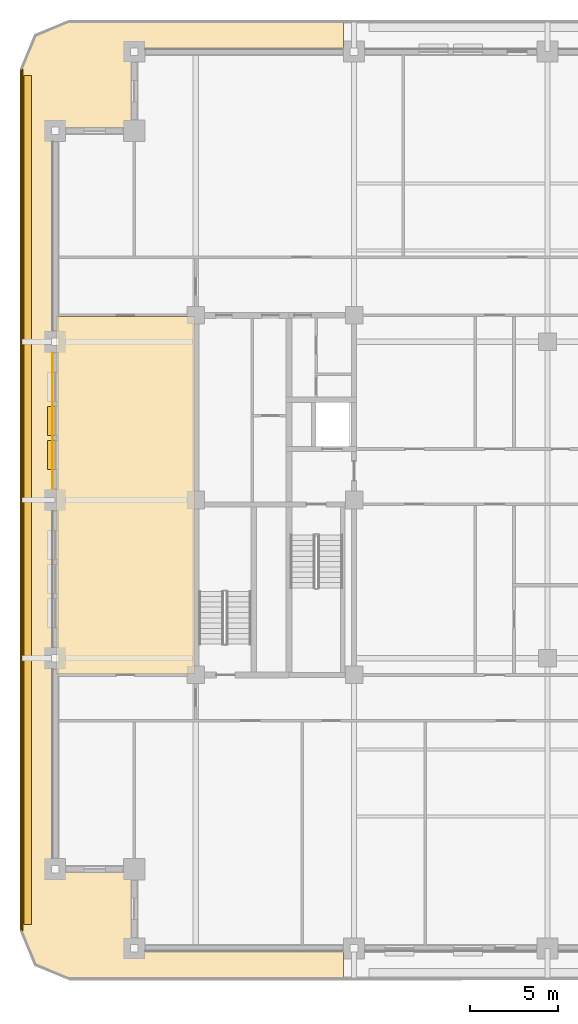
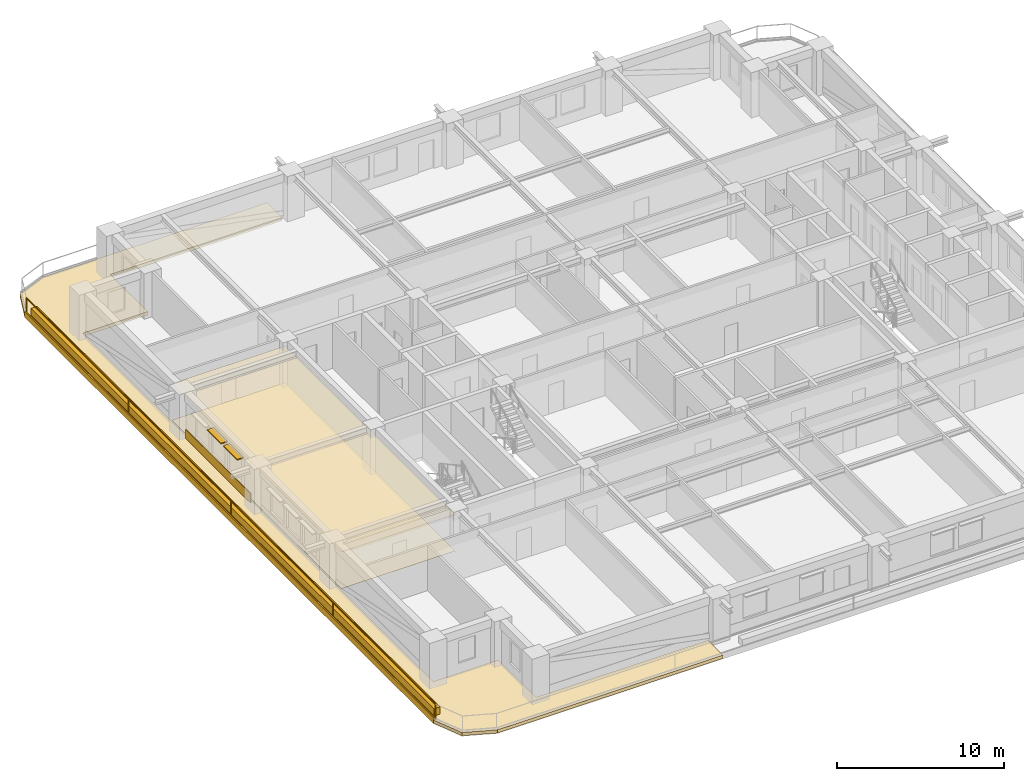
# One storey, part 10 of 15: 6 coverings, 2 shading devices, 1 railing.
"""IFC4 building model written with IfcOpenShell, lengths in metres."""

from ifc_helpers import new_model, si_unit, direction, frame, frame_2d, origin, origin_2d, place, context, subcontext, project, spatial, polyline, rectangle, outline, extrude, material, layer, layer_set, type_object, element, save


model = new_model("IFC4")

# Units and contexts
model_context = context("Model", 3, precision=1e-05, world=origin(), true_north=direction((0.0, 1.0)))
body_context = subcontext(model_context, "Body", "Model", "MODEL_VIEW")
ifc_project = project(units=[si_unit("LENGTHUNIT", "METRE"), si_unit("AREAUNIT", "SQUARE_METRE"), si_unit("VOLUMEUNIT", "CUBIC_METRE"), si_unit("PLANEANGLEUNIT", "RADIAN"), si_unit("MASSUNIT", "GRAM", prefix="KILO")], contexts=[model_context])

# Site, building, storey
site_placement = place(None, origin())
site = spatial("IfcSite", under=ifc_project, at=site_placement, CompositionType="ELEMENT")
building_placement = place(site_placement, origin())
building = spatial("IfcBuilding", under=site, at=building_placement, Name="Zulmaris Gate Convention Tower", CompositionType="ELEMENT")
storey_placement = place(building_placement, frame((0.0, 0.0, 132.059814453125)))
storey = spatial("IfcBuildingStorey", under=building, at=storey_placement, Name="L33", CompositionType="ELEMENT", Elevation=132.059814453125)

# Coverings
ifc_material_1 = material(Name="Precast concrete C40/50", Category="concrete")
ifc_layer_1 = layer(ifc_material_1, 0.0400390625, Name="Precast concrete C40/50")
ifc_layer_set_1 = layer_set([ifc_layer_1], Name="Precast concrete C40/50")
covering_type_1 = type_object("IfcCoveringType", Name="CLAD-SPANDREL-PRECAST", PredefinedType="CLADDING", material=ifc_layer_set_1)
covering_1_placement = place(storey_placement, frame((-28.14990234375, 8.3701171875, 0.0), z_axis=(0.0, 0.0, 1.0), x_axis=(0.0, -1.0, 0.0)))
element("IfcCovering", 1, at=covering_1_placement, inside=storey, type_object=covering_type_1, Name="CLD-L33-W-2_0", PredefinedType="CLADDING", context=body_context, shape_type="SweptSolid", body=[
    extrude(rectangle(XDim=7.740234375, YDim=0.0400390625, at=frame_2d((3.8701171875, 0.0))), origin(), (0.0, 0.0, 1.0), 0.679931640625),
])
ifc_material_2 = material(Name="White Glazed Architectural Precast Concrete C40/50", Category="concrete")
ifc_layer_2 = layer(ifc_material_2, 0.239990234375, Name="White Glazed Architectural Precast Concrete C40/50")
ifc_layer_set_2 = layer_set([ifc_layer_2], Name="White Glazed Architectural Precast Concrete C40/50")
covering_type_2 = type_object("IfcCoveringType", Name="CLAD-TRAY-DECK", PredefinedType="CLADDING", material=ifc_layer_set_2)
covering_2_placement = place(storey_placement, frame((0.0, 0.0, -0.25)))
element("IfcCovering", 2, at=covering_2_placement, inside=storey, type_object=covering_type_2, Name="L33 West Rounded-Fascia Planter Tray Deck", PredefinedType="CLADDING", context=body_context, shape_type="SweptSolid", body=[
    extrude(outline(polyline([(-30.0, 24.5), (-29.179931640625, 26.47998046875), (-27.199951171875, 27.300048828125), (-11.60205078125, 27.300048828125), (-11.60205078125, 25.5), (-23.5, 25.5), (-23.5, 21.0), (-28.0, 21.0), (-28.0, -21.0), (-23.5, -21.0), (-23.5, -25.5), (-11.60205078125, -25.5), (-11.60205078125, -27.300048828125), (-27.199951171875, -27.300048828125), (-29.179931640625, -26.47998046875), (-30.0, -24.5), (-30.0, 24.5)])), origin(), (0.0, 0.0, 1.0), 0.239990234375),
])
ifc_layer_3 = layer(ifc_material_2, 0.080078125, Name="White Glazed Architectural Precast Concrete C40/50")
ifc_layer_set_3 = layer_set([ifc_layer_3], Name="White Glazed Architectural Precast Concrete C40/50")
covering_type_3 = type_object("IfcCoveringType", Name="CLAD-TRAY-FASCIA", PredefinedType="CLADDING", material=ifc_layer_set_3)
covering_3_placement = place(storey_placement, frame((-29.9599609375, 24.5, -0.2900390625), z_axis=(0.0, 0.0, 1.0), x_axis=(0.0, -1.0, 0.0)))
element("IfcCovering", 3, at=covering_3_placement, inside=storey, type_object=covering_type_3, Name="FSC-L33-TR-11", PredefinedType="CLADDING", context=body_context, shape_type="SweptSolid", body=[
    extrude(rectangle(XDim=49.0, YDim=0.080078125, at=frame_2d((24.5, 0.0))), origin(), (0.0, 0.0, 1.0), 0.43994140625),
])
ifc_material_3 = material(Name="Mineral Fibre Acoustic Ceiling Tile")
ifc_layer_4 = layer(ifc_material_3, 0.02001953125, Name="Mineral Fibre Acoustic Ceiling Tile")
ifc_layer_set_4 = layer_set([ifc_layer_4], Name="Mineral Fibre Acoustic Ceiling Tile")
covering_type_4 = type_object("IfcCoveringType", Name="CLG-ACOUSTIC-600", PredefinedType="CEILING", material=ifc_layer_set_4)
covering_4_placement = place(storey_placement, frame((0.0, 0.0, 2.68017578125)))
element("IfcCovering", 4, at=covering_4_placement, inside=storey, type_object=covering_type_4, Name="CLG-L33-R55", PredefinedType="CEILING", context=body_context, shape_type="SweptSolid", body=[
    extrude(outline(polyline([(-27.93994140625, -9.889892578125), (-20.06005859375, -9.889892578125), (-20.06005859375, 10.43994140625), (-27.93994140625, 10.43994140625), (-27.93994140625, -9.889892578125)])), origin(), (0.0, 0.0, 1.0), 0.02001953125),
])
ifc_material_4 = material(Name="Woven Acoustic Wool Carpet Tile")
ifc_layer_5 = layer(ifc_material_4, 0.02001953125, Name="Woven Acoustic Wool Carpet Tile")
ifc_layer_set_5 = layer_set([ifc_layer_5], Name="Woven Acoustic Wool Carpet Tile")
covering_type_5 = type_object("IfcCoveringType", Name="FLR-CARPET-12", PredefinedType="FLOORING", material=ifc_layer_set_5)
covering_5_placement = place(storey_placement, origin())
element("IfcCovering", 5, at=covering_5_placement, inside=storey, type_object=covering_type_5, Name="FLR-L33-R55", PredefinedType="FLOORING", context=body_context, shape_type="SweptSolid", body=[
    extrude(outline(polyline([(-27.93994140625, -9.889892578125), (-20.06005859375, -9.889892578125), (-20.06005859375, 10.43994140625), (-27.93994140625, 10.43994140625), (-27.93994140625, -9.889892578125)])), origin(), (0.0, 0.0, 1.0), 0.02001953125),
])
ifc_material_5 = material(Name="Botanical Green Glazed Precast Concrete C40/50", Category="concrete")
ifc_layer_6 = layer(ifc_material_5, 0.419921875, Name="Botanical Green Glazed Precast Concrete C40/50")
ifc_layer_set_6 = layer_set([ifc_layer_6], Name="Botanical Green Glazed Precast Concrete C40/50")
covering_type_6 = type_object("IfcCoveringType", Name="PLANTER-BOX-200", PredefinedType="CLADDING", material=ifc_layer_set_6)
covering_6_placement = place(storey_placement, frame((0.0, 0.0, -0.010009765625)))
element("IfcCovering", 6, at=covering_6_placement, inside=storey, type_object=covering_type_6, Name="L33 W Full-Length Balcony Tree Planter Trough", PredefinedType="CLADDING", context=body_context, shape_type="SweptSolid", body=[
    extrude(outline(polyline([(-29.760009765625, -24.14990234375), (-29.340087890625, -24.14990234375), (-29.340087890625, 24.14990234375), (-29.760009765625, 24.14990234375), (-29.760009765625, -24.14990234375)])), origin(), (0.0, 0.0, 1.0), 0.52001953125),
])

# Railing
ifc_material_6 = material(Name="Laminated Glass and Stainless Steel", Category="steel")
railing_type = type_object("IfcRailingType", Name="RL-BALC-1150", PredefinedType="BALUSTRADE", material=ifc_material_6)
railing_placement = place(storey_placement, frame((-29.8798828125, 24.5, -0.010009765625)))
element("IfcRailing", 7, at=railing_placement, inside=storey, type_object=railing_type, Name="RL-L33-BALC-W", PredefinedType="BALUSTRADE", context=body_context, shape_type="SweptSolid", body=[
    extrude(rectangle(XDim=0.048095703125, YDim=0.048095703125, at=origin_2d()), frame((0.0, 0.0, 1.1259765625), z_axis=(0.0, -1.0, 0.0), x_axis=(1.0, 0.0, 0.0)), (0.0, 0.0, 1.0), 49.0),
    extrude(rectangle(XDim=0.048095703125, YDim=0.048095703125, at=origin_2d()), frame((0.0, 0.0, 0.02392578125), z_axis=(0.0, -1.0, 0.0), x_axis=(1.0, 0.0, 0.0)), (0.0, 0.0, 1.0), 49.0),
    extrude(rectangle(XDim=0.0419921875, YDim=0.0419921875, at=origin_2d()), origin(), (0.0, 0.0, 1.0), 1.101806640625),
    extrude(rectangle(XDim=0.0419921875, YDim=0.0419921875, at=origin_2d()), frame((0.0, -12.25, 0.0)), (0.0, 0.0, 1.0), 1.101806640625),
    extrude(rectangle(XDim=0.0419921875, YDim=0.0419921875, at=origin_2d()), frame((0.0, -24.5, 0.0)), (0.0, 0.0, 1.0), 1.101806640625),
    extrude(rectangle(XDim=0.0419921875, YDim=0.0419921875, at=origin_2d()), frame((0.0, -36.75, 0.0)), (0.0, 0.0, 1.0), 1.101806640625),
    extrude(rectangle(XDim=0.0419921875, YDim=0.0419921875, at=origin_2d()), frame((0.0, -49.0, 0.0)), (0.0, 0.0, 1.0), 1.101806640625),
])

# Shading devices
ifc_material_7 = material(Name="Glazed Ceramic Terracotta", Category="masonry")
ifc_layer_7 = layer(ifc_material_7, 0.070068359375, Name="Glazed Ceramic Terracotta")
ifc_layer_set_7 = layer_set([ifc_layer_7], Name="Glazed Ceramic Terracotta")
shading_device_type = type_object("IfcShadingDeviceType", Name="SHD-SUNSHADE-TC", PredefinedType="AWNING", material=ifc_layer_set_7)
for number, where, z_axis, x_axis, name in (
    (8, (-28.219970703125, 5.324951171875, 2.530029296875), (0.0, 0.0, 1.0), (0.0, -1.0, 0.0), "SHD-EW-L33-W-2_0-2"),
    (9, (-28.219970703125, 3.389892578125, 2.530029296875), (0.0, 0.0, 1.0), (0.0, -1.0, 0.0), "SHD-EW-L33-W-2_0-3"),
):
    element("IfcShadingDevice", number, at=place(storey_placement, frame(where, z_axis=z_axis, x_axis=x_axis)), inside=storey, type_object=shading_device_type, Name=name, PredefinedType="AWNING", context=body_context, shape_type="SweptSolid", body=[
        extrude(rectangle(XDim=1.64990234375, YDim=0.43994140625, at=frame_2d((0.824951171875, 0.0))), origin(), (0.0, 0.0, 1.0), 0.070068359375),
    ])

save(model, "model.ifc")
